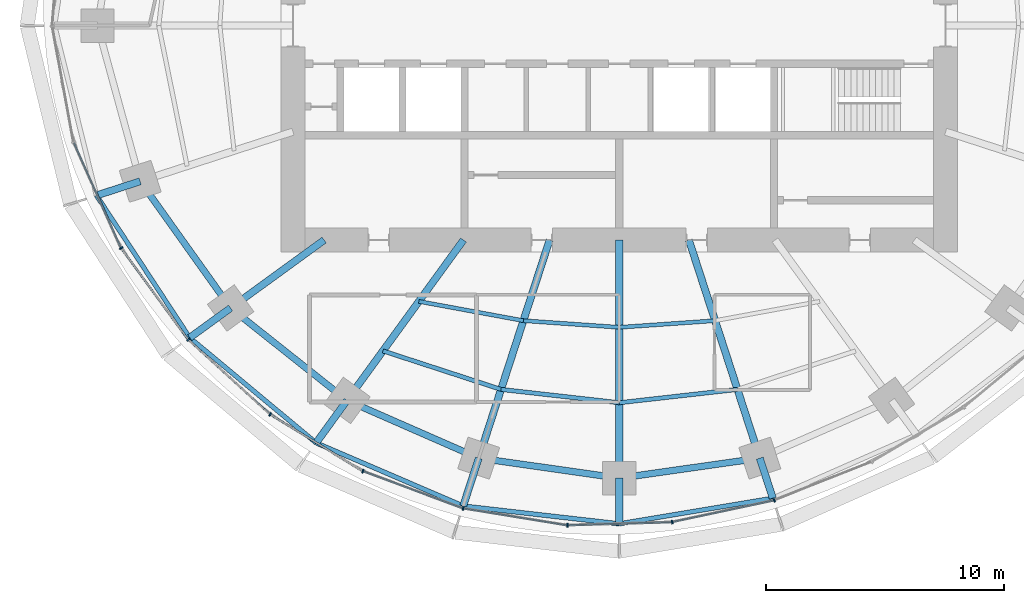
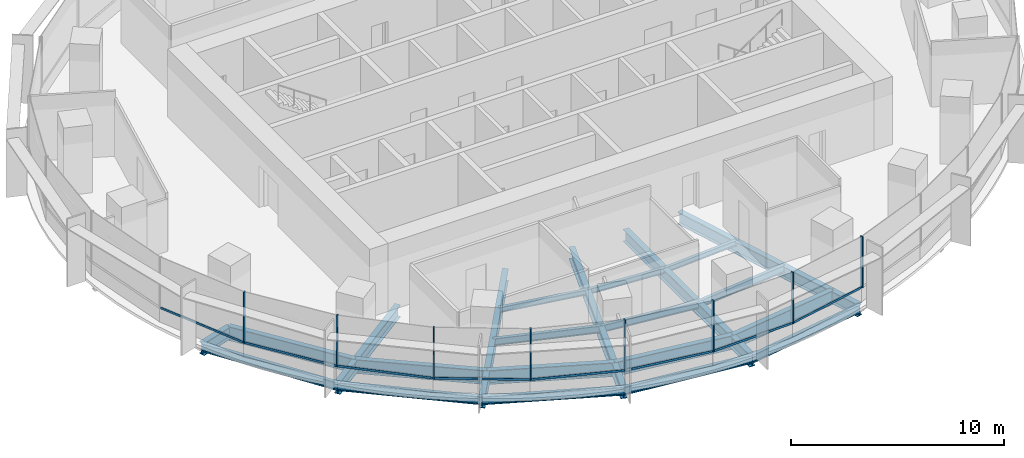
# One storey, part 2 of 14: 27 beams, 16 members, 2 elements without a shape of their own.
"""IFC4 building model written with IfcOpenShell, lengths in metres."""

import ifcopenshell
import ifcopenshell.guid

model = None  # the IFC model being written
_history = None  # IfcOwnerHistory: only IFC2X3 demands one
_inside = {}  # id of a spatial element -> (the spatial element, [elements in it])
_under = {}  # id of a project, library or spatial element -> (it, [spatial elements below it])
_declared = {}  # id of a project -> (the project, [libraries it declares])
_typed = {}  # id of a type object -> (the type object, [elements of that type])
_made_of = {}  # id of a material, layer set ... -> (it, [elements and type objects made of it])


def new_model(schema):
    """Start an empty IFC model of exactly this schema.

    Asked for "IFC4X3", IfcOpenShell would pick the latest addendum, in which some entities
    have other attributes; the version numbers below select the first issue.
    IFC2X3 requires an IfcOwnerHistory on every rooted entity: one is made here for all.
    """
    global model, _history
    if schema == "IFC4X3":
        model = ifcopenshell.file(schema_version=(4, 3, 0, 0))
    else:
        model = ifcopenshell.file(schema=schema)
    _inside.clear()
    _under.clear()
    _declared.clear()
    _typed.clear()
    _made_of.clear()
    _history = None
    if model.schema == "IFC2X3":
        org = make("IfcOrganization", Name="unknown")
        user = make(
            "IfcPersonAndOrganization",
            ThePerson=make("IfcPerson", FamilyName="unknown"),
            TheOrganization=org,
        )
        app = make(
            "IfcApplication",
            ApplicationDeveloper=org,
            Version="unknown",
            ApplicationFullName="unknown",
            ApplicationIdentifier="unknown",
        )
        _history = make(
            "IfcOwnerHistory",
            OwningUser=user,
            OwningApplication=app,
            ChangeAction="ADDED",
            CreationDate=0,
        )
    return model


def make(cls, **values):
    """One entity of the class cls with the attributes given. An attribute that is None is left unset."""
    return model.create_entity(
        cls, **{name: value for name, value in values.items() if value is not None}
    )


def rooted(cls, **values):
    """An entity with a GlobalId (a new one), such as an element, a storey or a relation."""
    return make(cls, GlobalId=ifcopenshell.guid.new(), OwnerHistory=_history, **values)


def si_unit(unit_type, name, prefix=None):
    """IfcSIUnit, for example si_unit("LENGTHUNIT", "METRE", prefix="MILLI")."""
    return make("IfcSIUnit", UnitType=unit_type, Prefix=prefix, Name=name)


def assignment(units):
    """IfcUnitAssignment: the units of a project."""
    return None if units is None else make("IfcUnitAssignment", Units=units)


def point(xyz):
    """IfcCartesianPoint."""
    return None if xyz is None else make("IfcCartesianPoint", Coordinates=xyz)


def direction(xyz):
    """IfcDirection."""
    return None if xyz is None else make("IfcDirection", DirectionRatios=xyz)


def frame(location, z_axis=None, x_axis=None):
    """IfcAxis2Placement3D, a coordinate frame: its origin and axes. An axis left out is left unset."""
    return make(
        "IfcAxis2Placement3D",
        Location=point(location),
        Axis=direction(z_axis),
        RefDirection=direction(x_axis),
    )


def frame_2d(location, x_axis=None):
    """IfcAxis2Placement2D, a coordinate frame in the plane: its origin and x axis."""
    return make(
        "IfcAxis2Placement2D", Location=point(location), RefDirection=direction(x_axis)
    )


def origin():
    """The frame at (0, 0, 0) with its axes left unset."""
    return frame((0.0, 0.0, 0.0))


def origin_2d():
    """The frame at (0, 0) in the plane with its x axis left unset."""
    return frame_2d((0.0, 0.0))


def place(relative_to, where):
    """IfcLocalPlacement: puts the frame where relative to a parent placement (None: the world)."""
    return make(
        "IfcLocalPlacement", PlacementRelTo=relative_to, RelativePlacement=where
    )


def context(
    kind, dimensions, precision=None, world=None, true_north=None, identifier=None
):
    """IfcGeometricRepresentationContext, for example the 3D "Model" context."""
    return make(
        "IfcGeometricRepresentationContext",
        ContextIdentifier=identifier,
        ContextType=kind,
        CoordinateSpaceDimension=dimensions,
        Precision=precision,
        WorldCoordinateSystem=world,
        TrueNorth=true_north,
    )


def subcontext(parent, identifier, kind, view, scale=None):
    """IfcGeometricRepresentationSubContext, for example "Body" below "Model"."""
    return make(
        "IfcGeometricRepresentationSubContext",
        ContextIdentifier=identifier,
        ContextType=kind,
        ParentContext=parent,
        TargetScale=scale,
        TargetView=view,
    )


def project(units=None, contexts=None):
    """IfcProject with its units and contexts."""
    return rooted(
        "IfcProject",
        Name="project",
        RepresentationContexts=contexts,
        UnitsInContext=assignment(units),
    )


def spatial(cls, under=None, at=None, **own):
    """A site, building, storey or space (cls), placed at a placement, below another one or the project."""
    s = rooted(cls, ObjectPlacement=at, **own)
    if under is not None:
        _under.setdefault(under.id(), (under, []))[1].append(s)
    return s


def profile(cls, at=None, kind="AREA", **sizes):
    """A parametric profile (cls). Its sizes go by their IFC names, for example OverallWidth=200.0."""
    return make(cls, ProfileType=kind, Position=at, **sizes)


def rectangle(**sizes):
    """IfcRectangleProfileDef."""
    return profile("IfcRectangleProfileDef", **sizes)


def i_section(**sizes):
    """IfcIShapeProfileDef."""
    return profile("IfcIShapeProfileDef", **sizes)


def extrude(swept, where, along, depth):
    """IfcExtrudedAreaSolid: the profile swept, set in the frame where, extruded along a direction by depth."""
    return make(
        "IfcExtrudedAreaSolid",
        SweptArea=swept,
        Position=where,
        ExtrudedDirection=direction(along),
        Depth=depth,
    )


def shape(context_of_items, identifier, shape_type, items):
    """IfcShapeRepresentation: the items that make up one representation, for example the "Body"."""
    return make(
        "IfcShapeRepresentation",
        ContextOfItems=context_of_items,
        RepresentationIdentifier=identifier,
        RepresentationType=shape_type,
        Items=items,
    )


def material(Name=None, Category=None):
    """IfcMaterial."""
    return make("IfcMaterial", Name=Name, Category=Category)


def material_profile(
    of_material, cross_section, Name=None, Category=None, Priority=None
):
    """IfcMaterialProfile: a cross section and its material."""
    return make(
        "IfcMaterialProfile",
        Name=Name,
        Material=of_material,
        Profile=cross_section,
        Priority=Priority,
        Category=Category,
    )


def profile_set(profiles, Name=None, composite=None):
    """IfcMaterialProfileSet."""
    return make(
        "IfcMaterialProfileSet",
        Name=Name,
        MaterialProfiles=profiles,
        CompositeProfile=composite,
    )


def made_of(thing, what):
    """Note that an element or type object is made of a material, layer set ...; save() writes the relation."""
    if what is not None:
        _made_of.setdefault(what.id(), (what, []))[1].append(thing)
    return thing


def type_object(cls, material=None, **own):
    """A type object (cls), such as IfcWallType, which elements share."""
    return made_of(rooted(cls, **own), material)


def element(
    cls,
    number,
    at=None,
    inside=None,
    cuts=None,
    type_object=None,
    material=None,
    context=None,
    identifier="Body",
    shape_type=None,
    held_by="IfcProductDefinitionShape",
    body=None,
    shapes=None,
    **own,
):
    """One element of the class cls, such as IfcWall. Its Tag is "e" and its number.

    at: its placement. inside: the storey or other place that contains it. cuts: it is an
    opening in that element (IfcRelVoidsElement). A single representation is given by context,
    identifier, shape_type and body (its items); several are given by shapes. held_by: the class
    of the entity that holds the representations. save() writes the other relations.
    """
    e = rooted(cls, Tag="e%d" % number, ObjectPlacement=at, **own)
    if body is not None:
        shapes = [shape(context, identifier, shape_type, body)]
    if shapes is not None:
        e.Representation = make(held_by, Representations=shapes)
    if inside is not None:
        _inside.setdefault(inside.id(), (inside, []))[1].append(e)
    if cuts is not None:
        rooted(
            "IfcRelVoidsElement", RelatingBuildingElement=cuts, RelatedOpeningElement=e
        )
    if type_object is not None:
        _typed.setdefault(type_object.id(), (type_object, []))[1].append(e)
    return made_of(e, material)


def aggregate(whole, parts):
    """IfcRelAggregates: a whole, such as a stair, and the parts it consists of."""
    return rooted("IfcRelAggregates", RelatingObject=whole, RelatedObjects=parts)


def save(model, path):
    """Write the relations noted so far, then the file.

    IfcRelAggregates (storeys below a building ...), IfcRelContainedInSpatialStructure (elements
    in a storey), IfcRelDefinesByType, IfcRelAssociatesMaterial and IfcRelDeclares: one each for
    every whole, place, type object, material and project.
    """
    for whole, parts in _under.values():
        aggregate(whole, parts)
    for where, things in _inside.values():
        rooted(
            "IfcRelContainedInSpatialStructure",
            RelatedElements=things,
            RelatingStructure=where,
        )
    for kind, things in _typed.values():
        rooted("IfcRelDefinesByType", RelatedObjects=things, RelatingType=kind)
    for what, things in _made_of.values():
        rooted("IfcRelAssociatesMaterial", RelatedObjects=things, RelatingMaterial=what)
    for by, libraries in _declared.values():
        rooted("IfcRelDeclares", RelatingContext=by, RelatedDefinitions=libraries)
    model.write(path)


model = new_model("IFC4")

# Units and contexts
model_context = context("Model", 3, precision=1e-05, world=origin(), true_north=direction((0.0, 1.0)))
body_context = subcontext(model_context, "Body", "Model", "MODEL_VIEW")
ifc_project = project(units=[si_unit("LENGTHUNIT", "METRE"), si_unit("AREAUNIT", "SQUARE_METRE"), si_unit("VOLUMEUNIT", "CUBIC_METRE"), si_unit("PLANEANGLEUNIT", "RADIAN"), si_unit("MASSUNIT", "GRAM", prefix="KILO")], contexts=[model_context])

# Site, building, storey
site_placement = place(None, origin())
site = spatial("IfcSite", under=ifc_project, at=site_placement, CompositionType="ELEMENT")
building_placement = place(site_placement, origin())
building = spatial("IfcBuilding", under=site, at=building_placement, Name="Marramba Exchange Tower", CompositionType="ELEMENT")
storey_placement = place(building_placement, frame((0.0, 0.0, 238.39990234375)))
storey = spatial("IfcBuildingStorey", under=building, at=storey_placement, Name="L58", CompositionType="ELEMENT", Elevation=238.39990234375)

# Beams
ifc_material_1 = material(Name="Steel AS/NZS 3679.2 grade 300", Category="steel")
ifc_material_profile_1 = material_profile(ifc_material_1, i_section(OverallWidth=0.300048828125, OverallDepth=0.699951171875, WebThickness=0.010009765625, FlangeThickness=0.031982421875, at=origin_2d()), Name="700WB173")
ifc_profile_set_1 = profile_set([ifc_material_profile_1], Name="Steel AS/NZS 3679.2 grade 300")
beam_type_1 = type_object("IfcBeamType", Name="Cantilever girder 700WB173", PredefinedType="BEAM", material=ifc_profile_set_1)
beam_1_placement = place(storey_placement, frame((-20.109375, -6.533935546875, -0.510009765625), z_axis=(-0.951071238541, -0.308971680287, 0.0), x_axis=(0.308971680287, -0.951071238541, 0.0)))
element("IfcBeam", 1, at=beam_1_placement, inside=storey, type_object=beam_type_1, Name="Cantilever girder L58 TC12", PredefinedType="BEAM", context=body_context, shape_type="SweptSolid", body=[
    extrude(i_section(OverallWidth=0.300048828125, OverallDepth=0.699951171875, WebThickness=0.010009765625, FlangeThickness=0.031982421875, at=origin_2d()), origin(), (0.0, 0.0, 1.0), 1.930419921875),
])
beam_2_placement = place(storey_placement, frame((-16.3154296875, -11.853759765625, -0.510009765625), z_axis=(-0.808969966943, -0.587849974555, 0.0), x_axis=(0.587849974555, -0.808969966943, 0.0)))
element("IfcBeam", 2, at=beam_2_placement, inside=storey, type_object=beam_type_1, Name="Cantilever girder L58 TC13", PredefinedType="BEAM", context=body_context, shape_type="SweptSolid", body=[
    extrude(i_section(OverallWidth=0.300048828125, OverallDepth=0.699951171875, WebThickness=0.010009765625, FlangeThickness=0.031982421875, at=origin_2d()), origin(), (0.0, 0.0, 1.0), 2.12109375),
])
beam_3_placement = place(storey_placement, frame((-11.430419921875, -15.732666015625, -0.510009765625), z_axis=(-0.587789596657, -0.809013837992, 0.0), x_axis=(0.809013837992, -0.587789596657, 0.0)))
element("IfcBeam", 3, at=beam_3_placement, inside=storey, type_object=beam_type_1, Name="Cantilever girder L58 TC14", PredefinedType="BEAM", context=body_context, shape_type="SweptSolid", body=[
    extrude(i_section(OverallWidth=0.300048828125, OverallDepth=0.699951171875, WebThickness=0.010009765625, FlangeThickness=0.031982421875, at=origin_2d()), origin(), (0.0, 0.0, 1.0), 2.203857421875),
])
beam_4_placement = place(storey_placement, frame((-5.899658203125, -18.156982421875, -0.510009765625), z_axis=(-0.308971068529, -0.951071437281, 0.0), x_axis=(0.951071437281, -0.308971068529, 0.0)))
element("IfcBeam", 4, at=beam_4_placement, inside=storey, type_object=beam_type_1, Name="Cantilever girder L58 TC15", PredefinedType="BEAM", context=body_context, shape_type="SweptSolid", body=[
    extrude(i_section(OverallWidth=0.300048828125, OverallDepth=0.699951171875, WebThickness=0.010009765625, FlangeThickness=0.031982421875, at=origin_2d()), origin(), (0.0, 0.0, 1.0), 2.112060546875),
])
beam_5_placement = place(storey_placement, frame((0.0, -18.99609375, -0.510009765625), z_axis=(0.0, -1.0, 0.0), x_axis=(1.0, 0.0, 0.0)))
element("IfcBeam", 5, at=beam_5_placement, inside=storey, type_object=beam_type_1, Name="Cantilever girder L58 TC16", PredefinedType="BEAM", context=body_context, shape_type="SweptSolid", body=[
    extrude(i_section(OverallWidth=0.300048828125, OverallDepth=0.699951171875, WebThickness=0.010009765625, FlangeThickness=0.031982421875, at=origin_2d()), origin(), (0.0, 0.0, 1.0), 1.917724609375),
])
beam_6_placement = place(storey_placement, frame((5.899658203125, -18.156982421875, -0.510009765625), z_axis=(0.308926813415, -0.951085813138, 0.0), x_axis=(0.951085813138, 0.308926813415, 0.0)))
element("IfcBeam", 6, at=beam_6_placement, inside=storey, type_object=beam_type_1, Name="Cantilever girder L58 TC17", PredefinedType="BEAM", context=body_context, shape_type="SweptSolid", body=[
    extrude(i_section(OverallWidth=0.300048828125, OverallDepth=0.699951171875, WebThickness=0.010009765625, FlangeThickness=0.031982421875, at=origin_2d()), origin(), (0.0, 0.0, 1.0), 1.767822265625),
])
ifc_material_2 = material(Name="Steel AS/NZS 3679.1 grade 300", Category="steel")
ifc_material_profile_2 = material_profile(ifc_material_2, i_section(OverallWidth=0.166015625, OverallDepth=0.306884765625, WebThickness=0.006591796875, FlangeThickness=0.01171875, FilletRadius=0.011474609375, at=origin_2d()), Name="310UB46.2")
ifc_profile_set_2 = profile_set([ifc_material_profile_2], Name="Steel AS/NZS 3679.1 grade 300")
beam_type_2 = type_object("IfcBeamType", Name="Floor joist 310UB46.2", PredefinedType="JOIST", material=ifc_profile_set_2)
beam_7_placement = place(storey_placement, frame((-8.41162109375, -11.57763671875, -0.3134765625), z_axis=(0.983455754421, -0.181148500119, 0.0), x_axis=(0.181148500119, 0.983455754421, 0.0)))
element("IfcBeam", 7, at=beam_7_placement, inside=storey, type_object=beam_type_2, Name="Joist L58 bay 14 row 1", PredefinedType="JOIST", context=body_context, shape_type="SweptSolid", body=[
    extrude(i_section(OverallWidth=0.166015625, OverallDepth=0.306884765625, WebThickness=0.006591796875, FlangeThickness=0.01171875, FilletRadius=0.011474609375, at=origin_2d()), origin(), (0.0, 0.0, 1.0), 4.4609375),
])
for number, where, z_axis, x_axis, name in (
    (8, (-4.0244140625, -12.3857421875, -0.3134765625), (0.99759625901, -0.069294328838, 0.0), (0.069294328838, 0.99759625901, 0.0), "Joist L58 bay 15 row 1"),
    (9, (0.0, -12.665283203125, -0.3134765625), (0.99759625901, 0.069294328838, 0.0), (-0.069294328838, 0.99759625901, 0.0), "Joist L58 bay 16 row 1"),
):
    element("IfcBeam", number, at=place(storey_placement, frame(where, z_axis=z_axis, x_axis=x_axis)), inside=storey, type_object=beam_type_2, Name=name, PredefinedType="JOIST", context=body_context, shape_type="SweptSolid", body=[
        extrude(i_section(OverallWidth=0.166015625, OverallDepth=0.306884765625, WebThickness=0.006591796875, FlangeThickness=0.01171875, FilletRadius=0.011474609375, at=origin_2d()), origin(), (0.0, 0.0, 1.0), 4.0341796875),
    ])
ifc_material_profile_3 = material_profile(ifc_material_2, i_section(OverallWidth=0.177978515625, OverallDepth=0.406005859375, WebThickness=0.0078125, FlangeThickness=0.0126953125, FilletRadius=0.011474609375, at=origin_2d()), Name="410UB59.7")
ifc_profile_set_3 = profile_set([ifc_material_profile_3], Name="Steel AS/NZS 3679.1 grade 300")
beam_type_3 = type_object("IfcBeamType", Name="Floor joist 410UB59.7", PredefinedType="JOIST", material=ifc_profile_set_3)
beam_8_placement = place(storey_placement, frame((-9.9208984375, -13.655029296875, -0.36279296875), z_axis=(0.950764024931, -0.309915744834, 0.0), x_axis=(0.309915744834, 0.950764024931, 0.0)))
element("IfcBeam", 10, at=beam_8_placement, inside=storey, type_object=beam_type_3, Name="Joist L58 bay 14 row 2", PredefinedType="JOIST", context=body_context, shape_type="SweptSolid", body=[
    extrude(i_section(OverallWidth=0.177978515625, OverallDepth=0.406005859375, WebThickness=0.0078125, FlangeThickness=0.0126953125, FilletRadius=0.011474609375, at=origin_2d()), origin(), (0.0, 0.0, 1.0), 5.2158203125),
])
for number, where, z_axis, x_axis, name in (
    (11, (-4.9619140625, -15.271484375, -0.36279296875), (0.993712018573, -0.111966174106, 0.0), (0.111966174106, 0.993712018573, 0.0), "Joist L58 bay 15 row 2"),
    (12, (0.0, -15.83056640625, -0.36279296875), (0.993712018573, 0.111966174106, 0.0), (-0.111966174106, 0.993712018573, 0.0), "Joist L58 bay 16 row 2"),
):
    element("IfcBeam", number, at=place(storey_placement, frame(where, z_axis=z_axis, x_axis=x_axis)), inside=storey, type_object=beam_type_3, Name=name, PredefinedType="JOIST", context=body_context, shape_type="SweptSolid", body=[
        extrude(i_section(OverallWidth=0.177978515625, OverallDepth=0.406005859375, WebThickness=0.0078125, FlangeThickness=0.0126953125, FilletRadius=0.011474609375, at=origin_2d()), origin(), (0.0, 0.0, 1.0), 4.993408203125),
    ])

# Curtain wall, members
ifc_material_3 = material(Name="Aluminium framing, bronze anodised", Category="aluminium")
curtain_wall_type = type_object("IfcCurtainWallType", Name="Office ribbon curtain wall", PredefinedType="USERDEFINED", material=ifc_material_3)
curtain_wall_1_placement = place(storey_placement, origin())
curtain_wall_1 = element("IfcCurtainWall", 13, at=curtain_wall_1_placement, inside=storey, type_object=curtain_wall_type, Name="Curtain wall CW4 L58 F16-F20", ObjectType="RIBBON CURTAIN WALL", PredefinedType="USERDEFINED")
ifc_material_4 = material(Name="Aluminium mullion, bronze anodised", Category="aluminium")
ifc_material_profile_4 = material_profile(ifc_material_4, rectangle(XDim=0.159912109375, YDim=0.06005859375, at=origin_2d()), Name="CW4 mullion 60x160")
ifc_profile_set_4 = profile_set([ifc_material_profile_4], Name="Aluminium mullion, bronze anodised")
member_type_1 = type_object("IfcMemberType", Name="Office ribbon curtain wall mullion", PredefinedType="MULLION", material=ifc_profile_set_4)
member_1_placement = place(storey_placement, frame((-20.910400390625, -9.342041015625, 0.800048828125), z_axis=(0.0, 0.0, 1.0), x_axis=(0.806508054547, 0.591223103363, 0.0)))
member_1 = element("IfcMember", 14, at=member_1_placement, type_object=member_type_1, Name="CW4 mullion 1", PredefinedType="MULLION", context=body_context, shape_type="SweptSolid", body=[
    extrude(rectangle(XDim=0.159912109375, YDim=0.06005859375, at=origin_2d()), origin(), (0.0, 0.0, 1.0), 2.93994140625),
])
member_2_placement = place(storey_placement, frame((-18.090087890625, -13.179443359375, 0.800048828125), z_axis=(0.0, 0.0, 1.0), x_axis=(0.67567103474, 0.737203264245, 0.0)))
member_2 = element("IfcMember", 15, at=member_2_placement, type_object=member_type_1, Name="CW4 mullion 1", PredefinedType="MULLION", context=body_context, shape_type="SweptSolid", body=[
    extrude(rectangle(XDim=0.159912109375, YDim=0.06005859375, at=origin_2d()), origin(), (0.0, 0.0, 1.0), 2.93994140625),
])
member_3_placement = place(storey_placement, frame((-14.655029296875, -16.320068359375, 0.800048828125), z_axis=(0.0, 0.0, 1.0), x_axis=(0.52305160869, 0.85230101176, 0.0)))
member_3 = element("IfcMember", 16, at=member_3_placement, type_object=member_type_1, Name="CW4 mullion 1", PredefinedType="MULLION", context=body_context, shape_type="SweptSolid", body=[
    extrude(rectangle(XDim=0.159912109375, YDim=0.06005859375, at=origin_2d()), origin(), (0.0, 0.0, 1.0), 2.93994140625),
])

curtain_wall_2_placement = place(storey_placement, origin())
curtain_wall_2 = element("IfcCurtainWall", 17, at=curtain_wall_2_placement, inside=storey, type_object=curtain_wall_type, Name="Curtain wall CW4 L58 F21-F25", ObjectType="RIBBON CURTAIN WALL", PredefinedType="USERDEFINED")
member_4_placement = place(storey_placement, frame((-10.76318359375, -18.70166015625, 0.800048828125), z_axis=(0.0, 0.0, 1.0), x_axis=(0.349459197687, 0.936951583142, 0.0)))
member_4 = element("IfcMember", 18, at=member_4_placement, type_object=member_type_1, Name="CW4 mullion 1", PredefinedType="MULLION", context=body_context, shape_type="SweptSolid", body=[
    extrude(rectangle(XDim=0.159912109375, YDim=0.06005859375, at=origin_2d()), origin(), (0.0, 0.0, 1.0), 2.93994140625),
])
member_5_placement = place(storey_placement, frame((-6.553466796875, -20.265625, 0.800048828125), z_axis=(0.0, 0.0, 1.0), x_axis=(0.161145726194, 0.986930623159, 0.0)))
member_5 = element("IfcMember", 19, at=member_5_placement, type_object=member_type_1, Name="CW4 mullion 1", PredefinedType="MULLION", context=body_context, shape_type="SweptSolid", body=[
    extrude(rectangle(XDim=0.159912109375, YDim=0.06005859375, at=origin_2d()), origin(), (0.0, 0.0, 1.0), 2.93994140625),
])
member_6_placement = place(storey_placement, frame((-2.174560546875, -20.974853515625, 0.800048828125), z_axis=(0.0, 0.0, 1.0), x_axis=(-0.029393451762, 0.99956791915, 0.0)))
member_6 = element("IfcMember", 20, at=member_6_placement, type_object=member_type_1, Name="CW4 mullion 1", PredefinedType="MULLION", context=body_context, shape_type="SweptSolid", body=[
    extrude(rectangle(XDim=0.159912109375, YDim=0.06005859375, at=origin_2d()), origin(), (0.0, 0.0, 1.0), 2.93994140625),
])
member_7_placement = place(storey_placement, frame((2.220458984375, -20.840087890625, 0.800048828125), z_axis=(0.0, 0.0, 1.0), x_axis=(-0.208332456608, 0.978058069607, 0.0)))
member_7 = element("IfcMember", 21, at=member_7_placement, type_object=member_type_1, Name="CW4 mullion 1", PredefinedType="MULLION", context=body_context, shape_type="SweptSolid", body=[
    extrude(rectangle(XDim=0.159912109375, YDim=0.06005859375, at=origin_2d()), origin(), (0.0, 0.0, 1.0), 2.93994140625),
])
member_8_placement = place(storey_placement, frame((6.504638671875, -19.922607421875, 0.800048828125), z_axis=(0.0, 0.0, 1.0), x_axis=(-0.367374724195, 0.93007301435, 0.0)))
member_8 = element("IfcMember", 22, at=member_8_placement, type_object=member_type_1, Name="CW4 mullion 1", PredefinedType="MULLION", context=body_context, shape_type="SweptSolid", body=[
    extrude(rectangle(XDim=0.159912109375, YDim=0.06005859375, at=origin_2d()), origin(), (0.0, 0.0, 1.0), 2.93994140625),
])

# Member
ifc_material_5 = material(Name="Aluminium transom, bronze anodised", Category="aluminium")
ifc_material_profile_5 = material_profile(ifc_material_5, rectangle(XDim=0.06005859375, YDim=0.1201171875, at=origin_2d()), Name="CW4 transom 60x120")
ifc_profile_set_5 = profile_set([ifc_material_profile_5], Name="Aluminium transom, bronze anodised")
member_type_2 = type_object("IfcMemberType", Name="Office ribbon curtain wall transom", PredefinedType="USERDEFINED", material=ifc_profile_set_5)
member_9_placement = place(storey_placement, frame((-22.888671875, -4.925048828125, 0.830078125), z_axis=(0.407541263131, -0.913186792965, 0.0), x_axis=(0.913186792965, 0.407541263131, 0.0)))
member_9 = element("IfcMember", 23, at=member_9_placement, type_object=member_type_2, Name="CW4 sill transom", ObjectType="TRANSOM", PredefinedType="USERDEFINED", context=body_context, shape_type="SweptSolid", body=[
    extrude(rectangle(XDim=0.06005859375, YDim=0.1201171875, at=origin_2d()), origin(), (0.0, 0.0, 1.0), 4.810546875),
])

member_10_placement = place(storey_placement, frame((-20.892578125, -9.3662109375, 0.830078125), z_axis=(0.591226373184, -0.806505657545, 0.0), x_axis=(0.806505657545, 0.591226373184, 0.0)))
member_10 = element("IfcMember", 24, at=member_10_placement, type_object=member_type_2, Name="CW4 sill transom", ObjectType="TRANSOM", PredefinedType="USERDEFINED", context=body_context, shape_type="SweptSolid", body=[
    extrude(rectangle(XDim=0.06005859375, YDim=0.1201171875, at=origin_2d()), origin(), (0.0, 0.0, 1.0), 4.702880859375),
])

member_11_placement = place(storey_placement, frame((-18.06787109375, -13.19970703125, 0.830078125), z_axis=(0.737176195283, -0.675700567639, 0.0), x_axis=(0.675700567639, 0.737176195283, 0.0)))
member_11 = element("IfcMember", 25, at=member_11_placement, type_object=member_type_2, Name="CW4 sill transom", ObjectType="TRANSOM", PredefinedType="USERDEFINED", context=body_context, shape_type="SweptSolid", body=[
    extrude(rectangle(XDim=0.06005859375, YDim=0.1201171875, at=origin_2d()), origin(), (0.0, 0.0, 1.0), 4.5947265625),
])

member_12_placement = place(storey_placement, frame((-14.62939453125, -16.335693359375, 0.830078125), z_axis=(0.852298011003, -0.523056498325, 0.0), x_axis=(0.523056498325, 0.852298011003, 0.0)))
member_12 = element("IfcMember", 26, at=member_12_placement, type_object=member_type_2, Name="CW4 sill transom", ObjectType="TRANSOM", PredefinedType="USERDEFINED", context=body_context, shape_type="SweptSolid", body=[
    extrude(rectangle(XDim=0.06005859375, YDim=0.1201171875, at=origin_2d()), origin(), (0.0, 0.0, 1.0), 4.503173828125),
])

aggregate(curtain_wall_1, [member_9, member_1, member_10, member_2, member_11, member_3, member_12])

member_13_placement = place(storey_placement, frame((-10.735107421875, -18.712158203125, 0.830078125), z_axis=(0.936954830677, -0.349450490444, 0.0), x_axis=(0.349450490444, 0.936954830677, 0.0)))
member_13 = element("IfcMember", 27, at=member_13_placement, type_object=member_type_2, Name="CW4 sill transom", ObjectType="TRANSOM", PredefinedType="USERDEFINED", context=body_context, shape_type="SweptSolid", body=[
    extrude(rectangle(XDim=0.06005859375, YDim=0.1201171875, at=origin_2d()), origin(), (0.0, 0.0, 1.0), 4.431396484375),
])

member_14_placement = place(storey_placement, frame((-6.52392578125, -20.2705078125, 0.830078125), z_axis=(0.986937225488, -0.161105285282, 0.0), x_axis=(0.161105285282, 0.986937225488, 0.0)))
member_14 = element("IfcMember", 28, at=member_14_placement, type_object=member_type_2, Name="CW4 sill transom", ObjectType="TRANSOM", PredefinedType="USERDEFINED", context=body_context, shape_type="SweptSolid", body=[
    extrude(rectangle(XDim=0.06005859375, YDim=0.1201171875, at=origin_2d()), origin(), (0.0, 0.0, 1.0), 4.37646484375),
])

member_15_placement = place(storey_placement, frame((-2.144775390625, -20.973876953125, 0.830078125), z_axis=(0.999568338005, 0.029379204529, 0.0), x_axis=(-0.029379204529, 0.999568338005, 0.0)))
member_15 = element("IfcMember", 29, at=member_15_placement, type_object=member_type_2, Name="CW4 sill transom", ObjectType="TRANSOM", PredefinedType="USERDEFINED", context=body_context, shape_type="SweptSolid", body=[
    extrude(rectangle(XDim=0.06005859375, YDim=0.1201171875, at=origin_2d()), origin(), (0.0, 0.0, 1.0), 4.337890625),
])

member_16_placement = place(storey_placement, frame((2.249755859375, -20.833984375, 0.830078125), z_axis=(0.978057951839, 0.208333009494, 0.0), x_axis=(-0.208333009494, 0.978057951839, 0.0)))
member_16 = element("IfcMember", 30, at=member_16_placement, type_object=member_type_2, Name="CW4 sill transom", ObjectType="TRANSOM", PredefinedType="USERDEFINED", context=body_context, shape_type="SweptSolid", body=[
    extrude(rectangle(XDim=0.06005859375, YDim=0.1201171875, at=origin_2d()), origin(), (0.0, 0.0, 1.0), 4.32177734375),
])

aggregate(curtain_wall_2, [member_4, member_13, member_5, member_14, member_6, member_15, member_7, member_16, member_8])

# Beams
ifc_material_profile_6 = material_profile(ifc_material_1, i_section(OverallWidth=0.300048828125, OverallDepth=0.699951171875, WebThickness=0.010009765625, FlangeThickness=0.031982421875, at=origin_2d()), Name="700WB173")
ifc_profile_set_6 = profile_set([ifc_material_profile_6], Name="Steel AS/NZS 3679.2 grade 300")
beam_type_4 = type_object("IfcBeamType", Name="Radial girder 700WB173", PredefinedType="BEAM", material=ifc_profile_set_6)
beam_9_placement = place(storey_placement, frame((-12.387451171875, -9.0, -0.510009765625), z_axis=(-0.809025189606, -0.58777397236, 0.0), x_axis=(0.58777397236, -0.809025189606, 0.0)))
element("IfcBeam", 31, at=beam_9_placement, inside=storey, type_object=beam_type_4, Name="Radial girder L58 TC13", PredefinedType="BEAM", context=body_context, shape_type="SweptSolid", body=[
    extrude(i_section(OverallWidth=0.300048828125, OverallDepth=0.699951171875, WebThickness=0.010009765625, FlangeThickness=0.031982421875, at=origin_2d()), origin(), (0.0, 0.0, 1.0), 4.855224609375),
])
beam_10_placement = place(storey_placement, frame((-6.538818359375, -9.0, -0.510009765625), z_axis=(-0.587787877172, -0.809015087282, 0.0), x_axis=(0.809015087282, -0.587787877172, 0.0)))
element("IfcBeam", 32, at=beam_10_placement, inside=storey, type_object=beam_type_4, Name="Radial girder L58 TC14", PredefinedType="BEAM", context=body_context, shape_type="SweptSolid", body=[
    extrude(i_section(OverallWidth=0.300048828125, OverallDepth=0.699951171875, WebThickness=0.010009765625, FlangeThickness=0.031982421875, at=origin_2d()), origin(), (0.0, 0.0, 1.0), 8.322021484375),
])
beam_11_placement = place(storey_placement, frame((-2.92431640625, -9.0, -0.510009765625), z_axis=(-0.309022428985, -0.951054750466, 0.0), x_axis=(0.951054750466, -0.309022428985, 0.0)))
element("IfcBeam", 33, at=beam_11_placement, inside=storey, type_object=beam_type_4, Name="Radial girder L58 TC15", PredefinedType="BEAM", context=body_context, shape_type="SweptSolid", body=[
    extrude(i_section(OverallWidth=0.300048828125, OverallDepth=0.699951171875, WebThickness=0.010009765625, FlangeThickness=0.031982421875, at=origin_2d()), origin(), (0.0, 0.0, 1.0), 9.628173828125),
])
beam_12_placement = place(storey_placement, frame((0.0, -9.0, -0.510009765625), z_axis=(0.0, -1.0, 0.0), x_axis=(1.0, 0.0, 0.0)))
element("IfcBeam", 34, at=beam_12_placement, inside=storey, type_object=beam_type_4, Name="Radial girder L58 TC16", PredefinedType="BEAM", context=body_context, shape_type="SweptSolid", body=[
    extrude(i_section(OverallWidth=0.300048828125, OverallDepth=0.699951171875, WebThickness=0.010009765625, FlangeThickness=0.031982421875, at=origin_2d()), origin(), (0.0, 0.0, 1.0), 9.99609375),
])
beam_13_placement = place(storey_placement, frame((2.92431640625, -9.0, -0.510009765625), z_axis=(0.309022428985, -0.951054750466, 0.0), x_axis=(0.951054750466, 0.309022428985, 0.0)))
element("IfcBeam", 35, at=beam_13_placement, inside=storey, type_object=beam_type_4, Name="Radial girder L58 TC17", PredefinedType="BEAM", context=body_context, shape_type="SweptSolid", body=[
    extrude(i_section(OverallWidth=0.300048828125, OverallDepth=0.699951171875, WebThickness=0.010009765625, FlangeThickness=0.031982421875, at=origin_2d()), origin(), (0.0, 0.0, 1.0), 9.628173828125),
])
ifc_material_profile_7 = material_profile(ifc_material_1, i_section(OverallWidth=0.27490234375, OverallDepth=0.800048828125, WebThickness=0.010009765625, FlangeThickness=0.02490234375, at=origin_2d()), Name="800WB168")
ifc_profile_set_7 = profile_set([ifc_material_profile_7], Name="Steel AS/NZS 3679.2 grade 300")
beam_type_5 = type_object("IfcBeamType", Name="Ring beam 800WB168", PredefinedType="SPANDREL", material=ifc_profile_set_7)
beam_14_placement = place(storey_placement, frame((-20.109375, -6.533935546875, -0.559814453125), z_axis=(0.580637181111, -0.814162430914, 0.0), x_axis=(0.814162430914, 0.580637181111, 0.0)))
element("IfcBeam", 36, at=beam_14_placement, inside=storey, type_object=beam_type_5, Name="Ring beam L58 TC12-TC13", PredefinedType="SPANDREL", context=body_context, shape_type="SweptSolid", body=[
    extrude(i_section(OverallWidth=0.27490234375, OverallDepth=0.800048828125, WebThickness=0.010009765625, FlangeThickness=0.02490234375, at=origin_2d()), origin(), (0.0, 0.0, 1.0), 6.5341796875),
])
beam_15_placement = place(storey_placement, frame((-16.3154296875, -11.853759765625, -0.559814453125), z_axis=(0.783139438128, -0.621846138887, 0.0), x_axis=(0.621846138887, 0.783139438128, 0.0)))
element("IfcBeam", 37, at=beam_15_placement, inside=storey, type_object=beam_type_5, Name="Ring beam L58 TC13-TC14", PredefinedType="SPANDREL", context=body_context, shape_type="SweptSolid", body=[
    extrude(i_section(OverallWidth=0.27490234375, OverallDepth=0.800048828125, WebThickness=0.010009765625, FlangeThickness=0.02490234375, at=origin_2d()), origin(), (0.0, 0.0, 1.0), 6.23779296875),
])
beam_16_placement = place(storey_placement, frame((-11.430419921875, -15.732666015625, -0.559814453125), z_axis=(0.915876892158, -0.4014592363, 0.0), x_axis=(0.4014592363, 0.915876892158, 0.0)))
element("IfcBeam", 38, at=beam_16_placement, inside=storey, type_object=beam_type_5, Name="Ring beam L58 TC14-TC15", PredefinedType="SPANDREL", context=body_context, shape_type="SweptSolid", body=[
    extrude(i_section(OverallWidth=0.27490234375, OverallDepth=0.800048828125, WebThickness=0.010009765625, FlangeThickness=0.02490234375, at=origin_2d()), origin(), (0.0, 0.0, 1.0), 6.038818359375),
])
for number, where, z_axis, x_axis, name in (
    (39, (-5.899658203125, -18.156982421875, -0.559814453125), (0.990036163016, -0.140813337152, 0.0), (0.140813337152, 0.990036163016, 0.0), "Ring beam L58 TC15-TC16"),
    (40, (0.0, -18.99609375, -0.559814453125), (0.990036163016, 0.140813337152, 0.0), (-0.140813337152, 0.990036163016, 0.0), "Ring beam L58 TC16-TC17"),
):
    element("IfcBeam", number, at=place(storey_placement, frame(where, z_axis=z_axis, x_axis=x_axis)), inside=storey, type_object=beam_type_5, Name=name, PredefinedType="SPANDREL", context=body_context, shape_type="SweptSolid", body=[
        extrude(i_section(OverallWidth=0.27490234375, OverallDepth=0.800048828125, WebThickness=0.010009765625, FlangeThickness=0.02490234375, at=origin_2d()), origin(), (0.0, 0.0, 1.0), 5.958984375),
    ])
ifc_material_profile_8 = material_profile(ifc_material_2, i_section(OverallWidth=0.19091796875, OverallDepth=0.4599609375, WebThickness=0.010009765625, FlangeThickness=0.01611328125, FilletRadius=0.011474609375, at=origin_2d()), Name="460UB82.1")
ifc_profile_set_8 = profile_set([ifc_material_profile_8], Name="Steel AS/NZS 3679.1 grade 300")
beam_type_6 = type_object("IfcBeamType", Name="Slab edge beam 460UB82.1", PredefinedType="SPANDREL", material=ifc_profile_set_8)
beam_17_placement = place(storey_placement, frame((-21.9453125, -7.13037109375, -0.389892578125), z_axis=(0.548275412052, -0.83629783722, 0.0), x_axis=(0.83629783722, 0.548275412052, 0.0)))
element("IfcBeam", 41, at=beam_17_placement, inside=storey, type_object=beam_type_6, Name="Slab edge beam L58 TC12-TC13", PredefinedType="SPANDREL", context=body_context, shape_type="SweptSolid", body=[
    extrude(i_section(OverallWidth=0.19091796875, OverallDepth=0.4599609375, WebThickness=0.010009765625, FlangeThickness=0.01611328125, FilletRadius=0.011474609375, at=origin_2d()), origin(), (0.0, 0.0, 1.0), 7.138916015625),
])
beam_18_placement = place(storey_placement, frame((-18.03125, -13.1005859375, -0.389892578125), z_axis=(0.768658895231, -0.639658895649, 0.0), x_axis=(0.639658895649, 0.768658895231, 0.0)))
element("IfcBeam", 42, at=beam_18_placement, inside=storey, type_object=beam_type_6, Name="Slab edge beam L58 TC13-TC14", PredefinedType="SPANDREL", context=body_context, shape_type="SweptSolid", body=[
    extrude(i_section(OverallWidth=0.19091796875, OverallDepth=0.4599609375, WebThickness=0.010009765625, FlangeThickness=0.01611328125, FilletRadius=0.011474609375, at=origin_2d()), origin(), (0.0, 0.0, 1.0), 6.902099609375),
])
beam_19_placement = place(storey_placement, frame((-12.725830078125, -17.515625, -0.389892578125), z_axis=(0.9189117964, -0.394463065999, 0.0), x_axis=(0.394463065999, 0.9189117964, 0.0)))
element("IfcBeam", 43, at=beam_19_placement, inside=storey, type_object=beam_type_6, Name="Slab edge beam L58 TC14-TC15", PredefinedType="SPANDREL", context=body_context, shape_type="SweptSolid", body=[
    extrude(i_section(OverallWidth=0.19091796875, OverallDepth=0.4599609375, WebThickness=0.010009765625, FlangeThickness=0.01611328125, FilletRadius=0.011474609375, at=origin_2d()), origin(), (0.0, 0.0, 1.0), 6.71826171875),
])
beam_20_placement = place(storey_placement, frame((-6.55224609375, -20.165771484375, -0.389892578125), z_axis=(0.993546030009, -0.113429653325, 0.0), x_axis=(0.113429653325, 0.993546030009, 0.0)))
element("IfcBeam", 44, at=beam_20_placement, inside=storey, type_object=beam_type_6, Name="Slab edge beam L58 TC15-TC16", PredefinedType="SPANDREL", context=body_context, shape_type="SweptSolid", body=[
    extrude(i_section(OverallWidth=0.19091796875, OverallDepth=0.4599609375, WebThickness=0.010009765625, FlangeThickness=0.01611328125, FilletRadius=0.011474609375, at=origin_2d()), origin(), (0.0, 0.0, 1.0), 6.5947265625),
])
beam_21_placement = place(storey_placement, frame((0.0, -20.913818359375, -0.389892578125), z_axis=(0.986365637189, 0.164568617219, 0.0), x_axis=(-0.164568617219, 0.986365637189, 0.0)))
element("IfcBeam", 45, at=beam_21_placement, inside=storey, type_object=beam_type_6, Name="Slab edge beam L58 TC16-TC17", PredefinedType="SPANDREL", context=body_context, shape_type="SweptSolid", body=[
    extrude(i_section(OverallWidth=0.19091796875, OverallDepth=0.4599609375, WebThickness=0.010009765625, FlangeThickness=0.01611328125, FilletRadius=0.011474609375, at=origin_2d()), origin(), (0.0, 0.0, 1.0), 6.534912109375),
])

save(model, "model.ifc")
